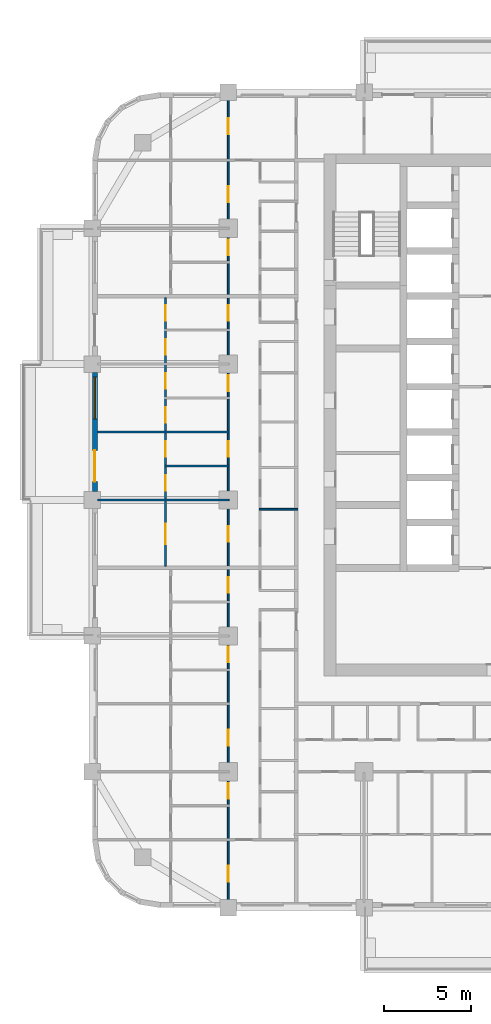
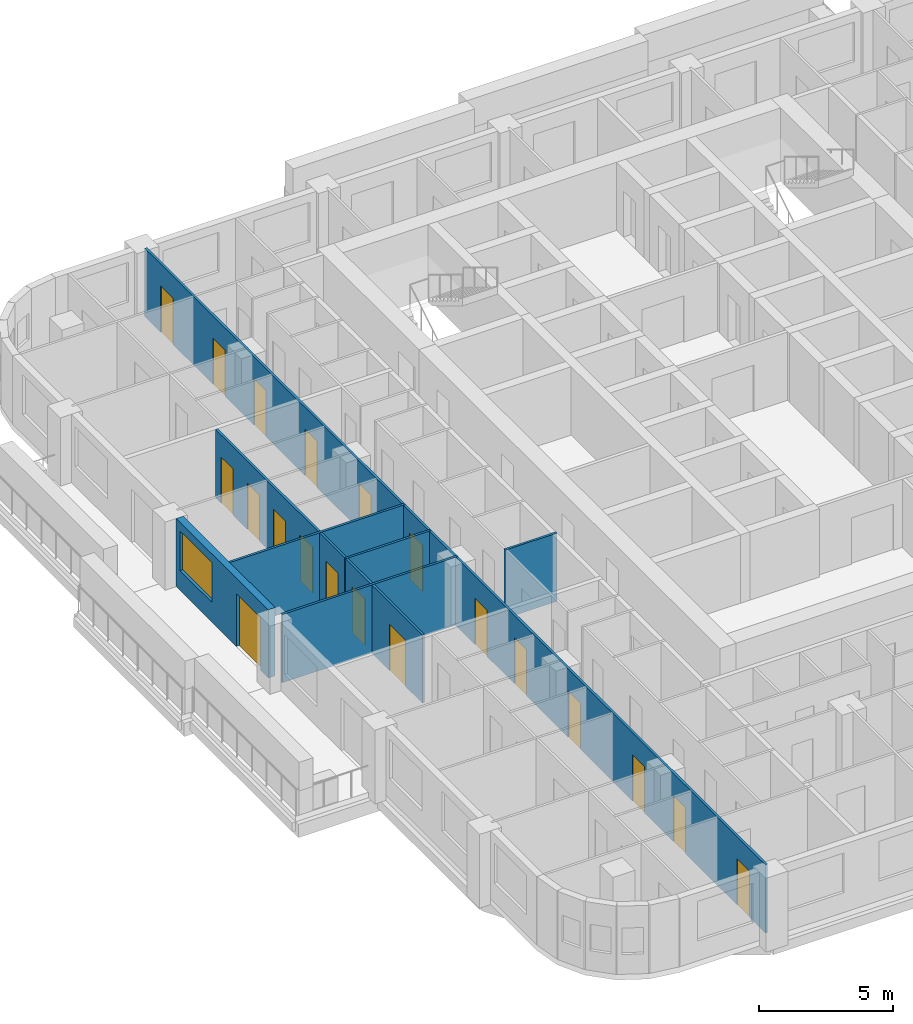
# One storey, part 5 of 17: 20 doors, 7 walls, 1 window, 21 openings.
"""IFC4 building model written with IfcOpenShell, lengths in metres."""

from ifc_helpers import new_model, si_unit, direction, frame, frame_2d, origin, place, context, subcontext, project, spatial, rectangle, extrude, material, layer, layer_set, type_object, element, fill, save


model = new_model("IFC4")

# Units and contexts
model_context = context("Model", 3, precision=1e-05, world=origin(), true_north=direction((0.0, 1.0)))
body_context = subcontext(model_context, "Body", "Model", "MODEL_VIEW")
ifc_project = project(units=[si_unit("LENGTHUNIT", "METRE"), si_unit("AREAUNIT", "SQUARE_METRE"), si_unit("VOLUMEUNIT", "CUBIC_METRE"), si_unit("PLANEANGLEUNIT", "RADIAN"), si_unit("MASSUNIT", "GRAM", prefix="KILO")], contexts=[model_context])

# Site, building, storey
site_placement = place(None, origin())
site = spatial("IfcSite", under=ifc_project, at=site_placement, CompositionType="ELEMENT")
building_placement = place(site_placement, origin())
building = spatial("IfcBuilding", under=site, at=building_placement, Name="Ludao Terraces", CompositionType="ELEMENT")
storey_placement = place(building_placement, frame((0.0, 0.0, 92.0)))
storey = spatial("IfcBuildingStorey", under=building, at=storey_placement, Name="L25", CompositionType="ELEMENT", Elevation=92.0)

# Wall, openings, door, window
ifc_material_1 = material(Name="Granite cladding", Category="masonry")
ifc_layer_1 = layer(ifc_material_1, 0.0400390625, Category="stone")
ifc_material_2 = material(Name="Mineral wool")
ifc_layer_2 = layer(ifc_material_2, 0.06005859375)
ifc_material_3 = material(Name="Concrete C40", Category="concrete")
ifc_layer_3 = layer(ifc_material_3, 0.199951171875, Category="concrete")
ifc_layer_set_1 = layer_set([ifc_layer_1, ifc_layer_2, ifc_layer_3], Name="ENV Stone-clad wall 300")
wall_type_1 = type_object("IfcWallType", Name="ENV Stone-clad wall 300", PredefinedType="SOLIDWALL", material=ifc_layer_set_1)
wall_1_placement = place(storey_placement, frame((61.75, 65.47509765625, 0.0), z_axis=(0.0, 0.0, 1.0), x_axis=(0.0, 1.0, 0.0)))
wall_1 = element("IfcWall", 1, at=wall_1_placement, inside=storey, type_object=wall_type_1, Name="EW-L25-W4", PredefinedType="SOLIDWALL", context=body_context, shape_type="SweptSolid", body=[
    extrude(rectangle(XDim=6.849853515625, YDim=0.300048828125, at=frame_2d((3.4248046875, 0.0))), origin(), (0.0, 0.0, 1.0), 3.10009765625),
])
opening_1_placement = place(wall_1_placement, frame((0.574951171875, 0.0, 0.0)))
opening_1 = element("IfcOpeningElement", 2, at=opening_1_placement, cuts=wall_1, Name="Opening BD", PredefinedType="OPENING", context=body_context, shape_type="SweptSolid", body=[
    extrude(rectangle(XDim=1.800048828125, YDim=2.39990234375, at=frame_2d((0.89990234375, 1.199951171875))), frame((0.0, 0.16015625, 0.0), z_axis=(0.0, -1.0, 0.0), x_axis=(1.0, 0.0, 0.0)), (0.0, 0.0, 1.0), 0.320068359375),
])
opening_2_placement = place(wall_1_placement, frame((4.175048828125, 0.0, 0.89990234375)))
opening_2 = element("IfcOpeningElement", 3, at=opening_2_placement, cuts=wall_1, Name="Opening W1", PredefinedType="OPENING", context=body_context, shape_type="SweptSolid", body=[
    extrude(rectangle(XDim=2.39990234375, YDim=1.800048828125, at=frame_2d((1.199951171875, 0.89990234375))), frame((0.0, 0.16015625, 0.0), z_axis=(0.0, -1.0, 0.0), x_axis=(1.0, 0.0, 0.0)), (0.0, 0.0, 1.0), 0.320068359375),
])
ifc_material_4 = material(Name="Aluminium glazed door", Category="aluminium")
ifc_layer_4 = layer(ifc_material_4, 0.06005859375)
ifc_layer_set_2 = layer_set([ifc_layer_4], Name="ENV Balcony door BD 1800x2400")
door_type_1 = type_object("IfcDoorType", Name="ENV Balcony door BD 1800x2400", OperationType="DOUBLE_DOOR_SINGLE_SWING", PredefinedType="DOOR", material=ifc_layer_set_2)
door_1_placement = place(opening_1_placement, origin())
door_1 = element("IfcDoor", 4, at=door_1_placement, inside=storey, type_object=door_type_1, Name="BD-L25-W4-1", OperationType="DOUBLE_DOOR_SINGLE_SWING", OverallHeight=2.39990234375, OverallWidth=1.800048828125, PredefinedType="DOOR", context=body_context, shape_type="SweptSolid", body=[
    extrude(rectangle(XDim=1.800048828125, YDim=2.39990234375, at=frame_2d((0.89990234375, 1.199951171875))), frame((0.0, 0.02490234375, 0.0), z_axis=(0.0, -1.0, 0.0), x_axis=(1.0, 0.0, 0.0)), (0.0, 0.0, 1.0), 0.050048828125),
])
fill(opening_1, door_1)
ifc_material_5 = material(Name="Clear glass in aluminium frame", Category="aluminium")
ifc_layer_5 = layer(ifc_material_5, 0.06005859375)
ifc_layer_set_3 = layer_set([ifc_layer_5], Name="ENV Window W1 2400x1800")
window_type = type_object("IfcWindowType", Name="ENV Window W1 2400x1800", PartitioningType="DOUBLE_PANEL_VERTICAL", PredefinedType="WINDOW", material=ifc_layer_set_3)
window_placement = place(opening_2_placement, origin())
window = element("IfcWindow", 5, at=window_placement, inside=storey, type_object=window_type, Name="W-L25-W4-2", OverallHeight=1.800048828125, OverallWidth=2.39990234375, PartitioningType="DOUBLE_PANEL_VERTICAL", PredefinedType="WINDOW", context=body_context, shape_type="SweptSolid", body=[
    extrude(rectangle(XDim=2.39990234375, YDim=1.800048828125, at=frame_2d((1.199951171875, 0.89990234375))), frame((0.0, 0.030029296875, 0.0), z_axis=(0.0, -1.0, 0.0), x_axis=(1.0, 0.0, 0.0)), (0.0, 0.0, 1.0), 0.06005859375),
])
fill(opening_2, window)

# Walls
ifc_material_6 = material(Name="Gypsum plasterboard", Category="gypsum")
ifc_layer_6 = layer(ifc_material_6, 0.012451171875, Category="gypsum")
ifc_layer_7 = layer(ifc_material_2, 0.06005859375, Name="insulation")
ifc_material_7 = material(Name="Steel Q235", Category="steel")
ifc_layer_8 = layer(ifc_material_7, 0.014892578125, Name="stud")
ifc_layer_9 = layer(ifc_material_6, 0.012451171875, Category="gypsum")
ifc_layer_set_4 = layer_set([ifc_layer_6, ifc_layer_7, ifc_layer_8, ifc_layer_9], Name="INT Partition 100")
wall_type_2 = type_object("IfcWallType", Name="INT Partition 100", PredefinedType="PARTITIONING", material=ifc_layer_set_4)
wall_2_placement = place(storey_placement, frame((71.18017578125, 64.469970703125, 0.0), z_axis=(0.0, 0.0, 1.0), x_axis=(1.0, 0.0, 0.0)))
element("IfcWall", 6, at=wall_2_placement, inside=storey, type_object=wall_type_2, Name="PW-L25-PW037", PredefinedType="PARTITIONING", context=body_context, shape_type="SweptSolid", body=[
    extrude(rectangle(XDim=2.219970703125, YDim=0.10009765625, at=frame_2d((1.10986328125, 0.0))), origin(), (0.0, 0.0, 1.0), 3.10009765625),
])
wall_3_placement = place(storey_placement, frame((61.900146484375, 65.0, 0.0), z_axis=(0.0, 0.0, 1.0), x_axis=(1.0, 0.0, 0.0)))
element("IfcWall", 7, at=wall_3_placement, inside=storey, type_object=wall_type_2, Name="PW-L25-PW038", PredefinedType="PARTITIONING", context=body_context, shape_type="SweptSolid", body=[
    extrude(rectangle(XDim=7.550048828125, YDim=0.10009765625, at=frame_2d((3.77490234375, 0.0))), origin(), (0.0, 0.0, 1.0), 3.10009765625),
])
wall_4_placement = place(storey_placement, frame((65.75, 66.949951171875, 0.0), z_axis=(0.0, 0.0, 1.0), x_axis=(1.0, 0.0, 0.0)))
element("IfcWall", 8, at=wall_4_placement, inside=storey, type_object=wall_type_2, Name="PW-L25-PW043", PredefinedType="PARTITIONING", context=body_context, shape_type="SweptSolid", body=[
    extrude(rectangle(XDim=3.7001953125, YDim=0.10009765625, at=frame_2d((1.85009765625, 0.0))), origin(), (0.0, 0.0, 1.0), 3.10009765625),
])
wall_5_placement = place(storey_placement, frame((61.900146484375, 68.89990234375, 0.0), z_axis=(0.0, 0.0, 1.0), x_axis=(1.0, 0.0, 0.0)))
element("IfcWall", 9, at=wall_5_placement, inside=storey, type_object=wall_type_2, Name="PW-L25-PW045", PredefinedType="PARTITIONING", context=body_context, shape_type="SweptSolid", body=[
    extrude(rectangle(XDim=7.550048828125, YDim=0.10009765625, at=frame_2d((3.77490234375, 0.0))), origin(), (0.0, 0.0, 1.0), 3.10009765625),
])

# Wall, openings, doors
wall_6_placement = place(storey_placement, frame((65.800048828125, 61.2001953125, 0.0), z_axis=(0.0, 0.0, 1.0), x_axis=(0.0, 1.0, 0.0)))
wall_6 = element("IfcWall", 10, at=wall_6_placement, inside=storey, type_object=wall_type_2, Name="PW-L25-PW079", PredefinedType="PARTITIONING", context=body_context, shape_type="SweptSolid", body=[
    extrude(rectangle(XDim=15.39990234375, YDim=0.10009765625, at=frame_2d((7.699951171875, 0.0))), origin(), (0.0, 0.0, 1.0), 3.10009765625),
])
opening_3_placement = place(wall_6_placement, frame((1.25, 0.0, 0.0)))
opening_3 = element("IfcOpeningElement", 11, at=opening_3_placement, cuts=wall_6, Name="Opening R07-078", PredefinedType="OPENING", context=body_context, shape_type="SweptSolid", body=[
    extrude(rectangle(XDim=1.199951171875, YDim=2.10009765625, at=frame_2d((0.60009765625, 1.050048828125))), frame((0.0, 0.06005859375, 0.0), z_axis=(0.0, -1.0, 0.0), x_axis=(1.0, 0.0, 0.0)), (0.0, 0.0, 1.0), 0.1201171875),
])
opening_4_placement = place(wall_6_placement, frame((4.324951171875, 0.0, 0.0)))
opening_4 = element("IfcOpeningElement", 12, at=opening_4_placement, cuts=wall_6, Name="Opening R07-086", PredefinedType="OPENING", context=body_context, shape_type="SweptSolid", body=[
    extrude(rectangle(XDim=0.89990234375, YDim=2.10009765625, at=frame_2d((0.449951171875, 1.050048828125))), frame((0.0, 0.06005859375, 0.0), z_axis=(0.0, -1.0, 0.0), x_axis=(1.0, 0.0, 0.0)), (0.0, 0.0, 1.0), 0.1201171875),
])
opening_5_placement = place(wall_6_placement, frame((6.27490234375, 0.0, 0.0)))
opening_5 = element("IfcOpeningElement", 13, at=opening_5_placement, cuts=wall_6, Name="Opening R07-094", PredefinedType="OPENING", context=body_context, shape_type="SweptSolid", body=[
    extrude(rectangle(XDim=0.89990234375, YDim=2.10009765625, at=frame_2d((0.449951171875, 1.050048828125))), frame((0.0, 0.06005859375, 0.0), z_axis=(0.0, -1.0, 0.0), x_axis=(1.0, 0.0, 0.0)), (0.0, 0.0, 1.0), 0.1201171875),
])
opening_6_placement = place(wall_6_placement, frame((8.224853515625, 0.0, 0.0)))
opening_6 = element("IfcOpeningElement", 14, at=opening_6_placement, cuts=wall_6, Name="Opening R07-098", PredefinedType="OPENING", context=body_context, shape_type="SweptSolid", body=[
    extrude(rectangle(XDim=0.89990234375, YDim=2.10009765625, at=frame_2d((0.449951171875, 1.050048828125))), frame((0.0, 0.06005859375, 0.0), z_axis=(0.0, -1.0, 0.0), x_axis=(1.0, 0.0, 0.0)), (0.0, 0.0, 1.0), 0.1201171875),
])
opening_7_placement = place(wall_6_placement, frame((10.1748046875, 0.0, 0.0)))
opening_7 = element("IfcOpeningElement", 15, at=opening_7_placement, cuts=wall_6, Name="Opening R07-106", PredefinedType="OPENING", context=body_context, shape_type="SweptSolid", body=[
    extrude(rectangle(XDim=0.89990234375, YDim=2.10009765625, at=frame_2d((0.449951171875, 1.050048828125))), frame((0.0, 0.06005859375, 0.0), z_axis=(0.0, -1.0, 0.0), x_axis=(1.0, 0.0, 0.0)), (0.0, 0.0, 1.0), 0.1201171875),
])
opening_8_placement = place(wall_6_placement, frame((12.125, 0.0, 0.0)))
opening_8 = element("IfcOpeningElement", 16, at=opening_8_placement, cuts=wall_6, Name="Opening R07-113", PredefinedType="OPENING", context=body_context, shape_type="SweptSolid", body=[
    extrude(rectangle(XDim=0.89990234375, YDim=2.10009765625, at=frame_2d((0.449951171875, 1.050048828125))), frame((0.0, 0.06005859375, 0.0), z_axis=(0.0, -1.0, 0.0), x_axis=(1.0, 0.0, 0.0)), (0.0, 0.0, 1.0), 0.1201171875),
])
opening_9_placement = place(wall_6_placement, frame((14.074951171875, 0.0, 0.0)))
opening_9 = element("IfcOpeningElement", 17, at=opening_9_placement, cuts=wall_6, Name="Opening R07-121", PredefinedType="OPENING", context=body_context, shape_type="SweptSolid", body=[
    extrude(rectangle(XDim=0.89990234375, YDim=2.10009765625, at=frame_2d((0.449951171875, 1.050048828125))), frame((0.0, 0.06005859375, 0.0), z_axis=(0.0, -1.0, 0.0), x_axis=(1.0, 0.0, 0.0)), (0.0, 0.0, 1.0), 0.1201171875),
])
ifc_material_8 = material(Name="Timber door leaf", Category="wood")
door_type_2 = type_object("IfcDoorType", Name="INT Bathroom door 900", OperationType="SINGLE_SWING_LEFT", PredefinedType="DOOR", material=ifc_material_8)
door_2_placement = place(opening_4_placement, origin())
door_2 = element("IfcDoor", 18, at=door_2_placement, inside=storey, type_object=door_type_2, Name="DOOR 086", OperationType="SINGLE_SWING_LEFT", OverallHeight=2.10009765625, OverallWidth=0.89990234375, PredefinedType="DOOR", context=body_context, shape_type="SweptSolid", body=[
    extrude(rectangle(XDim=0.89990234375, YDim=2.10009765625, at=frame_2d((0.449951171875, 1.050048828125))), frame((0.0, 0.02490234375, 0.0), z_axis=(0.0, -1.0, 0.0), x_axis=(1.0, 0.0, 0.0)), (0.0, 0.0, 1.0), 0.050048828125),
])
fill(opening_4, door_2)
door_3_placement = place(opening_6_placement, origin())
door_3 = element("IfcDoor", 19, at=door_3_placement, inside=storey, type_object=door_type_2, Name="DOOR 098", OperationType="SINGLE_SWING_RIGHT", OverallHeight=2.10009765625, OverallWidth=0.89990234375, PredefinedType="DOOR", context=body_context, shape_type="SweptSolid", body=[
    extrude(rectangle(XDim=0.89990234375, YDim=2.10009765625, at=frame_2d((0.449951171875, 1.050048828125))), frame((0.0, 0.02490234375, 0.0), z_axis=(0.0, -1.0, 0.0), x_axis=(1.0, 0.0, 0.0)), (0.0, 0.0, 1.0), 0.050048828125),
])
fill(opening_6, door_3)
door_4_placement = place(opening_8_placement, origin())
door_4 = element("IfcDoor", 20, at=door_4_placement, inside=storey, type_object=door_type_2, Name="DOOR 113", OperationType="SINGLE_SWING_RIGHT", OverallHeight=2.10009765625, OverallWidth=0.89990234375, PredefinedType="DOOR", context=body_context, shape_type="SweptSolid", body=[
    extrude(rectangle(XDim=0.89990234375, YDim=2.10009765625, at=frame_2d((0.449951171875, 1.050048828125))), frame((0.0, 0.02490234375, 0.0), z_axis=(0.0, -1.0, 0.0), x_axis=(1.0, 0.0, 0.0)), (0.0, 0.0, 1.0), 0.050048828125),
])
fill(opening_8, door_4)
door_type_3 = type_object("IfcDoorType", Name="INT Double door 1200", OperationType="DOUBLE_DOOR_SINGLE_SWING", PredefinedType="DOOR", material=ifc_material_8)
door_5_placement = place(opening_3_placement, origin())
door_5 = element("IfcDoor", 21, at=door_5_placement, inside=storey, type_object=door_type_3, Name="DOOR 078", OperationType="DOUBLE_DOOR_SINGLE_SWING", OverallHeight=2.10009765625, OverallWidth=1.199951171875, PredefinedType="DOOR", context=body_context, shape_type="SweptSolid", body=[
    extrude(rectangle(XDim=1.199951171875, YDim=2.10009765625, at=frame_2d((0.60009765625, 1.050048828125))), frame((0.0, 0.02490234375, 0.0), z_axis=(0.0, -1.0, 0.0), x_axis=(1.0, 0.0, 0.0)), (0.0, 0.0, 1.0), 0.050048828125),
])
fill(opening_3, door_5)
door_type_4 = type_object("IfcDoorType", Name="INT Room door 900", OperationType="SINGLE_SWING_LEFT", PredefinedType="DOOR", material=ifc_material_8)
door_6_placement = place(opening_5_placement, origin())
door_6 = element("IfcDoor", 22, at=door_6_placement, inside=storey, type_object=door_type_4, Name="DOOR 094", OperationType="SINGLE_SWING_RIGHT", OverallHeight=2.10009765625, OverallWidth=0.89990234375, PredefinedType="DOOR", context=body_context, shape_type="SweptSolid", body=[
    extrude(rectangle(XDim=0.89990234375, YDim=2.10009765625, at=frame_2d((0.449951171875, 1.050048828125))), frame((0.0, 0.02490234375, 0.0), z_axis=(0.0, -1.0, 0.0), x_axis=(1.0, 0.0, 0.0)), (0.0, 0.0, 1.0), 0.050048828125),
])
fill(opening_5, door_6)
door_7_placement = place(opening_7_placement, origin())
door_7 = element("IfcDoor", 23, at=door_7_placement, inside=storey, type_object=door_type_4, Name="DOOR 106", OperationType="SINGLE_SWING_LEFT", OverallHeight=2.10009765625, OverallWidth=0.89990234375, PredefinedType="DOOR", context=body_context, shape_type="SweptSolid", body=[
    extrude(rectangle(XDim=0.89990234375, YDim=2.10009765625, at=frame_2d((0.449951171875, 1.050048828125))), frame((0.0, 0.02490234375, 0.0), z_axis=(0.0, -1.0, 0.0), x_axis=(1.0, 0.0, 0.0)), (0.0, 0.0, 1.0), 0.050048828125),
])
fill(opening_7, door_7)
door_8_placement = place(opening_9_placement, origin())
door_8 = element("IfcDoor", 24, at=door_8_placement, inside=storey, type_object=door_type_4, Name="DOOR 121", OperationType="SINGLE_SWING_LEFT", OverallHeight=2.10009765625, OverallWidth=0.89990234375, PredefinedType="DOOR", context=body_context, shape_type="SweptSolid", body=[
    extrude(rectangle(XDim=0.89990234375, YDim=2.10009765625, at=frame_2d((0.449951171875, 1.050048828125))), frame((0.0, 0.02490234375, 0.0), z_axis=(0.0, -1.0, 0.0), x_axis=(1.0, 0.0, 0.0)), (0.0, 0.0, 1.0), 0.050048828125),
])
fill(opening_9, door_8)

wall_7_placement = place(storey_placement, frame((69.39990234375, 41.900146484375, 0.0), z_axis=(0.0, 0.0, 1.0), x_axis=(0.0, 1.0, 0.0)))
wall_7 = element("IfcWall", 25, at=wall_7_placement, inside=storey, type_object=wall_type_2, Name="PW-L25-PW082", PredefinedType="PARTITIONING", context=body_context, shape_type="SweptSolid", body=[
    extrude(rectangle(XDim=46.199951171875, YDim=0.10009765625, at=frame_2d((23.10009765625, 0.0))), origin(), (0.0, 0.0, 1.0), 3.10009765625),
])
opening_10_placement = place(wall_7_placement, frame((1.199951171875, 0.0, 0.0)))
opening_10 = element("IfcOpeningElement", 26, at=opening_10_placement, cuts=wall_7, Name="Opening R07-002", PredefinedType="OPENING", context=body_context, shape_type="SweptSolid", body=[
    extrude(rectangle(XDim=0.89990234375, YDim=2.10009765625, at=frame_2d((0.449951171875, 1.050048828125))), frame((0.0, 0.06005859375, 0.0), z_axis=(0.0, -1.0, 0.0), x_axis=(1.0, 0.0, 0.0)), (0.0, 0.0, 1.0), 0.1201171875),
])
opening_11_placement = place(wall_7_placement, frame((5.949951171875, 0.0, 0.0)))
opening_11 = element("IfcOpeningElement", 27, at=opening_11_placement, cuts=wall_7, Name="Opening R07-022", PredefinedType="OPENING", context=body_context, shape_type="SweptSolid", body=[
    extrude(rectangle(XDim=0.89990234375, YDim=2.10009765625, at=frame_2d((0.449951171875, 1.050048828125))), frame((0.0, 0.06005859375, 0.0), z_axis=(0.0, -1.0, 0.0), x_axis=(1.0, 0.0, 0.0)), (0.0, 0.0, 1.0), 0.1201171875),
])
opening_12_placement = place(wall_7_placement, frame((9.0, 0.0, 0.0)))
opening_12 = element("IfcOpeningElement", 28, at=opening_12_placement, cuts=wall_7, Name="Opening R07-042", PredefinedType="OPENING", context=body_context, shape_type="SweptSolid", body=[
    extrude(rectangle(XDim=0.89990234375, YDim=2.10009765625, at=frame_2d((0.449951171875, 1.050048828125))), frame((0.0, 0.06005859375, 0.0), z_axis=(0.0, -1.0, 0.0), x_axis=(1.0, 0.0, 0.0)), (0.0, 0.0, 1.0), 0.1201171875),
])
opening_13_placement = place(wall_7_placement, frame((13.77490234375, 0.0, 0.0)))
opening_13 = element("IfcOpeningElement", 29, at=opening_13_placement, cuts=wall_7, Name="Opening R07-054", PredefinedType="OPENING", context=body_context, shape_type="SweptSolid", body=[
    extrude(rectangle(XDim=0.89990234375, YDim=2.10009765625, at=frame_2d((0.449951171875, 1.050048828125))), frame((0.0, 0.06005859375, 0.0), z_axis=(0.0, -1.0, 0.0), x_axis=(1.0, 0.0, 0.0)), (0.0, 0.0, 1.0), 0.1201171875),
])
opening_14_placement = place(wall_7_placement, frame((17.77490234375, 0.0, 0.0)))
opening_14 = element("IfcOpeningElement", 30, at=opening_14_placement, cuts=wall_7, Name="Opening R07-067", PredefinedType="OPENING", context=body_context, shape_type="SweptSolid", body=[
    extrude(rectangle(XDim=0.89990234375, YDim=2.10009765625, at=frame_2d((0.449951171875, 1.050048828125))), frame((0.0, 0.06005859375, 0.0), z_axis=(0.0, -1.0, 0.0), x_axis=(1.0, 0.0, 0.0)), (0.0, 0.0, 1.0), 0.1201171875),
])
opening_15_placement = place(wall_7_placement, frame((20.699951171875, 0.0, 0.0)))
opening_15 = element("IfcOpeningElement", 31, at=opening_15_placement, cuts=wall_7, Name="Opening R07-079", PredefinedType="OPENING", context=body_context, shape_type="SweptSolid", body=[
    extrude(rectangle(XDim=0.89990234375, YDim=2.10009765625, at=frame_2d((0.449951171875, 1.050048828125))), frame((0.0, 0.06005859375, 0.0), z_axis=(0.0, -1.0, 0.0), x_axis=(1.0, 0.0, 0.0)), (0.0, 0.0, 1.0), 0.1201171875),
])
opening_16_placement = place(wall_7_placement, frame((25.574951171875, 0.0, 0.0)))
opening_16 = element("IfcOpeningElement", 32, at=opening_16_placement, cuts=wall_7, Name="Opening R07-095", PredefinedType="OPENING", context=body_context, shape_type="SweptSolid", body=[
    extrude(rectangle(XDim=0.89990234375, YDim=2.10009765625, at=frame_2d((0.449951171875, 1.050048828125))), frame((0.0, 0.06005859375, 0.0), z_axis=(0.0, -1.0, 0.0), x_axis=(1.0, 0.0, 0.0)), (0.0, 0.0, 1.0), 0.1201171875),
])
opening_17_placement = place(wall_7_placement, frame((29.35009765625, 0.0, 0.0)))
opening_17 = element("IfcOpeningElement", 33, at=opening_17_placement, cuts=wall_7, Name="Opening R07-104", PredefinedType="OPENING", context=body_context, shape_type="SweptSolid", body=[
    extrude(rectangle(XDim=0.89990234375, YDim=2.10009765625, at=frame_2d((0.449951171875, 1.050048828125))), frame((0.0, 0.06005859375, 0.0), z_axis=(0.0, -1.0, 0.0), x_axis=(1.0, 0.0, 0.0)), (0.0, 0.0, 1.0), 0.1201171875),
])
opening_18_placement = place(wall_7_placement, frame((33.375, 0.0, 0.0)))
opening_18 = element("IfcOpeningElement", 34, at=opening_18_placement, cuts=wall_7, Name="Opening R07-122", PredefinedType="OPENING", context=body_context, shape_type="SweptSolid", body=[
    extrude(rectangle(XDim=0.89990234375, YDim=2.10009765625, at=frame_2d((0.449951171875, 1.050048828125))), frame((0.0, 0.06005859375, 0.0), z_axis=(0.0, -1.0, 0.0), x_axis=(1.0, 0.0, 0.0)), (0.0, 0.0, 1.0), 0.1201171875),
])
opening_19_placement = place(wall_7_placement, frame((37.14990234375, 0.0, 0.0)))
opening_19 = element("IfcOpeningElement", 35, at=opening_19_placement, cuts=wall_7, Name="Opening R07-137", PredefinedType="OPENING", context=body_context, shape_type="SweptSolid", body=[
    extrude(rectangle(XDim=0.89990234375, YDim=2.10009765625, at=frame_2d((0.449951171875, 1.050048828125))), frame((0.0, 0.06005859375, 0.0), z_axis=(0.0, -1.0, 0.0), x_axis=(1.0, 0.0, 0.0)), (0.0, 0.0, 1.0), 0.1201171875),
])
opening_20_placement = place(wall_7_placement, frame((40.199951171875, 0.0, 0.0)))
opening_20 = element("IfcOpeningElement", 36, at=opening_20_placement, cuts=wall_7, Name="Opening R07-146", PredefinedType="OPENING", context=body_context, shape_type="SweptSolid", body=[
    extrude(rectangle(XDim=0.89990234375, YDim=2.10009765625, at=frame_2d((0.449951171875, 1.050048828125))), frame((0.0, 0.06005859375, 0.0), z_axis=(0.0, -1.0, 0.0), x_axis=(1.0, 0.0, 0.0)), (0.0, 0.0, 1.0), 0.1201171875),
])
opening_21_placement = place(wall_7_placement, frame((44.10009765625, 0.0, 0.0)))
opening_21 = element("IfcOpeningElement", 37, at=opening_21_placement, cuts=wall_7, Name="Opening R07-156", PredefinedType="OPENING", context=body_context, shape_type="SweptSolid", body=[
    extrude(rectangle(XDim=0.89990234375, YDim=2.10009765625, at=frame_2d((0.449951171875, 1.050048828125))), frame((0.0, 0.06005859375, 0.0), z_axis=(0.0, -1.0, 0.0), x_axis=(1.0, 0.0, 0.0)), (0.0, 0.0, 1.0), 0.1201171875),
])
door_9_placement = place(opening_10_placement, origin())
door_9 = element("IfcDoor", 38, at=door_9_placement, inside=storey, type_object=door_type_4, Name="DOOR 002", OperationType="SINGLE_SWING_LEFT", OverallHeight=2.10009765625, OverallWidth=0.89990234375, PredefinedType="DOOR", context=body_context, shape_type="SweptSolid", body=[
    extrude(rectangle(XDim=0.89990234375, YDim=2.10009765625, at=frame_2d((0.449951171875, 1.050048828125))), frame((0.0, 0.02490234375, 0.0), z_axis=(0.0, -1.0, 0.0), x_axis=(1.0, 0.0, 0.0)), (0.0, 0.0, 1.0), 0.050048828125),
])
fill(opening_10, door_9)
door_10_placement = place(opening_11_placement, origin())
door_10 = element("IfcDoor", 39, at=door_10_placement, inside=storey, type_object=door_type_4, Name="DOOR 022", OperationType="SINGLE_SWING_LEFT", OverallHeight=2.10009765625, OverallWidth=0.89990234375, PredefinedType="DOOR", context=body_context, shape_type="SweptSolid", body=[
    extrude(rectangle(XDim=0.89990234375, YDim=2.10009765625, at=frame_2d((0.449951171875, 1.050048828125))), frame((0.0, 0.02490234375, 0.0), z_axis=(0.0, -1.0, 0.0), x_axis=(1.0, 0.0, 0.0)), (0.0, 0.0, 1.0), 0.050048828125),
])
fill(opening_11, door_10)
door_11_placement = place(opening_12_placement, origin())
door_11 = element("IfcDoor", 40, at=door_11_placement, inside=storey, type_object=door_type_4, Name="DOOR 042", OperationType="SINGLE_SWING_RIGHT", OverallHeight=2.10009765625, OverallWidth=0.89990234375, PredefinedType="DOOR", context=body_context, shape_type="SweptSolid", body=[
    extrude(rectangle(XDim=0.89990234375, YDim=2.10009765625, at=frame_2d((0.449951171875, 1.050048828125))), frame((0.0, 0.02490234375, 0.0), z_axis=(0.0, -1.0, 0.0), x_axis=(1.0, 0.0, 0.0)), (0.0, 0.0, 1.0), 0.050048828125),
])
fill(opening_12, door_11)
door_12_placement = place(opening_13_placement, origin())
door_12 = element("IfcDoor", 41, at=door_12_placement, inside=storey, type_object=door_type_4, Name="DOOR 054", OperationType="SINGLE_SWING_LEFT", OverallHeight=2.10009765625, OverallWidth=0.89990234375, PredefinedType="DOOR", context=body_context, shape_type="SweptSolid", body=[
    extrude(rectangle(XDim=0.89990234375, YDim=2.10009765625, at=frame_2d((0.449951171875, 1.050048828125))), frame((0.0, 0.02490234375, 0.0), z_axis=(0.0, -1.0, 0.0), x_axis=(1.0, 0.0, 0.0)), (0.0, 0.0, 1.0), 0.050048828125),
])
fill(opening_13, door_12)
door_13_placement = place(opening_14_placement, origin())
door_13 = element("IfcDoor", 42, at=door_13_placement, inside=storey, type_object=door_type_4, Name="DOOR 067", OperationType="SINGLE_SWING_RIGHT", OverallHeight=2.10009765625, OverallWidth=0.89990234375, PredefinedType="DOOR", context=body_context, shape_type="SweptSolid", body=[
    extrude(rectangle(XDim=0.89990234375, YDim=2.10009765625, at=frame_2d((0.449951171875, 1.050048828125))), frame((0.0, 0.02490234375, 0.0), z_axis=(0.0, -1.0, 0.0), x_axis=(1.0, 0.0, 0.0)), (0.0, 0.0, 1.0), 0.050048828125),
])
fill(opening_14, door_13)
door_14_placement = place(opening_15_placement, origin())
door_14 = element("IfcDoor", 43, at=door_14_placement, inside=storey, type_object=door_type_4, Name="DOOR 079", OperationType="SINGLE_SWING_LEFT", OverallHeight=2.10009765625, OverallWidth=0.89990234375, PredefinedType="DOOR", context=body_context, shape_type="SweptSolid", body=[
    extrude(rectangle(XDim=0.89990234375, YDim=2.10009765625, at=frame_2d((0.449951171875, 1.050048828125))), frame((0.0, 0.02490234375, 0.0), z_axis=(0.0, -1.0, 0.0), x_axis=(1.0, 0.0, 0.0)), (0.0, 0.0, 1.0), 0.050048828125),
])
fill(opening_15, door_14)
door_15_placement = place(opening_16_placement, origin())
door_15 = element("IfcDoor", 44, at=door_15_placement, inside=storey, type_object=door_type_4, Name="DOOR 095", OperationType="SINGLE_SWING_LEFT", OverallHeight=2.10009765625, OverallWidth=0.89990234375, PredefinedType="DOOR", context=body_context, shape_type="SweptSolid", body=[
    extrude(rectangle(XDim=0.89990234375, YDim=2.10009765625, at=frame_2d((0.449951171875, 1.050048828125))), frame((0.0, 0.02490234375, 0.0), z_axis=(0.0, -1.0, 0.0), x_axis=(1.0, 0.0, 0.0)), (0.0, 0.0, 1.0), 0.050048828125),
])
fill(opening_16, door_15)
door_16_placement = place(opening_17_placement, origin())
door_16 = element("IfcDoor", 45, at=door_16_placement, inside=storey, type_object=door_type_4, Name="DOOR 104", OperationType="SINGLE_SWING_LEFT", OverallHeight=2.10009765625, OverallWidth=0.89990234375, PredefinedType="DOOR", context=body_context, shape_type="SweptSolid", body=[
    extrude(rectangle(XDim=0.89990234375, YDim=2.10009765625, at=frame_2d((0.449951171875, 1.050048828125))), frame((0.0, 0.02490234375, 0.0), z_axis=(0.0, -1.0, 0.0), x_axis=(1.0, 0.0, 0.0)), (0.0, 0.0, 1.0), 0.050048828125),
])
fill(opening_17, door_16)
door_17_placement = place(opening_18_placement, origin())
door_17 = element("IfcDoor", 46, at=door_17_placement, inside=storey, type_object=door_type_4, Name="DOOR 122", OperationType="SINGLE_SWING_RIGHT", OverallHeight=2.10009765625, OverallWidth=0.89990234375, PredefinedType="DOOR", context=body_context, shape_type="SweptSolid", body=[
    extrude(rectangle(XDim=0.89990234375, YDim=2.10009765625, at=frame_2d((0.449951171875, 1.050048828125))), frame((0.0, 0.02490234375, 0.0), z_axis=(0.0, -1.0, 0.0), x_axis=(1.0, 0.0, 0.0)), (0.0, 0.0, 1.0), 0.050048828125),
])
fill(opening_18, door_17)
door_18_placement = place(opening_19_placement, origin())
door_18 = element("IfcDoor", 47, at=door_18_placement, inside=storey, type_object=door_type_4, Name="DOOR 137", OperationType="SINGLE_SWING_LEFT", OverallHeight=2.10009765625, OverallWidth=0.89990234375, PredefinedType="DOOR", context=body_context, shape_type="SweptSolid", body=[
    extrude(rectangle(XDim=0.89990234375, YDim=2.10009765625, at=frame_2d((0.449951171875, 1.050048828125))), frame((0.0, 0.02490234375, 0.0), z_axis=(0.0, -1.0, 0.0), x_axis=(1.0, 0.0, 0.0)), (0.0, 0.0, 1.0), 0.050048828125),
])
fill(opening_19, door_18)
door_19_placement = place(opening_20_placement, origin())
door_19 = element("IfcDoor", 48, at=door_19_placement, inside=storey, type_object=door_type_4, Name="DOOR 146", OperationType="SINGLE_SWING_RIGHT", OverallHeight=2.10009765625, OverallWidth=0.89990234375, PredefinedType="DOOR", context=body_context, shape_type="SweptSolid", body=[
    extrude(rectangle(XDim=0.89990234375, YDim=2.10009765625, at=frame_2d((0.449951171875, 1.050048828125))), frame((0.0, 0.02490234375, 0.0), z_axis=(0.0, -1.0, 0.0), x_axis=(1.0, 0.0, 0.0)), (0.0, 0.0, 1.0), 0.050048828125),
])
fill(opening_20, door_19)
door_20_placement = place(opening_21_placement, origin())
door_20 = element("IfcDoor", 49, at=door_20_placement, inside=storey, type_object=door_type_4, Name="DOOR 156", OperationType="SINGLE_SWING_RIGHT", OverallHeight=2.10009765625, OverallWidth=0.89990234375, PredefinedType="DOOR", context=body_context, shape_type="SweptSolid", body=[
    extrude(rectangle(XDim=0.89990234375, YDim=2.10009765625, at=frame_2d((0.449951171875, 1.050048828125))), frame((0.0, 0.02490234375, 0.0), z_axis=(0.0, -1.0, 0.0), x_axis=(1.0, 0.0, 0.0)), (0.0, 0.0, 1.0), 0.050048828125),
])
fill(opening_21, door_20)

save(model, "model.ifc")
